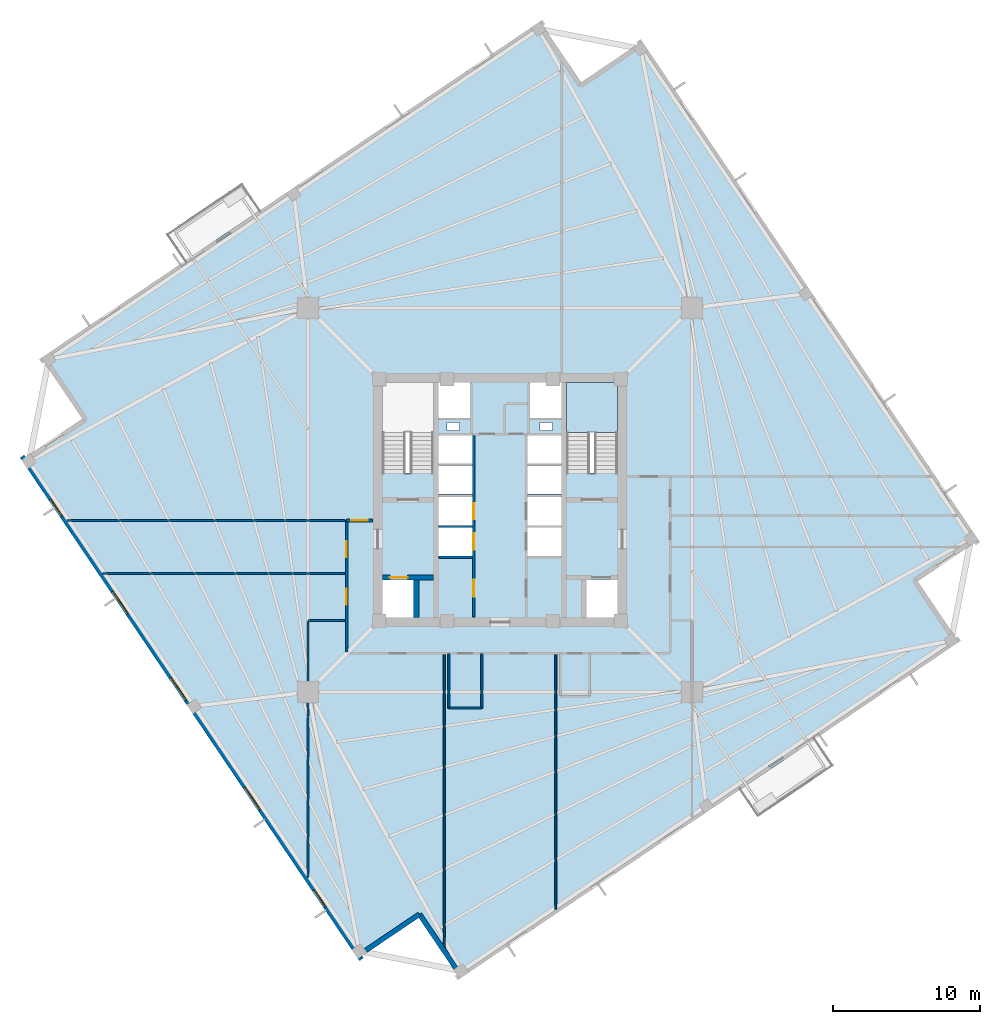
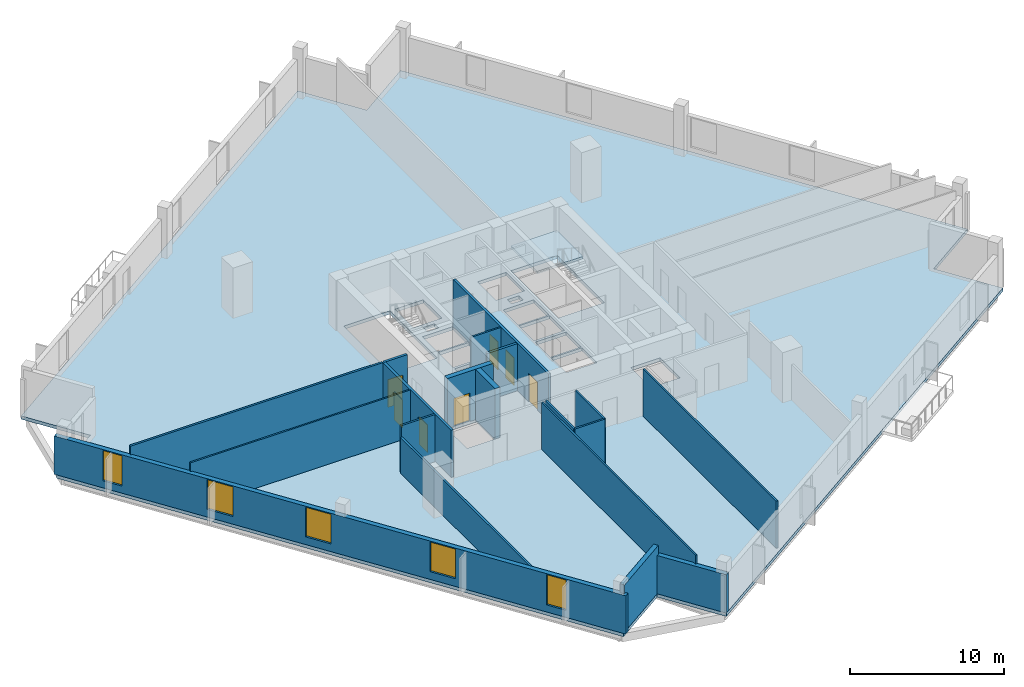
# One storey, part 2 of 8: 19 walls, 7 doors, 5 windows, 2 slabs, 12 openings, 1 element without a shape of its own.
"""IFC4 building model written with IfcOpenShell, lengths in metres."""

from ifc_helpers import new_model, si_unit, direction, frame, frame_2d, origin, place, context, subcontext, project, spatial, polyline, rectangle, outline, extrude, source, transform, mapped, material, layer, layer_set, type_object, element, fill, aggregate, save


model = new_model("IFC4")

# Units and contexts
model_context = context("Model", 3, precision=1e-05, world=origin(), true_north=direction((0.0, 1.0)))
body_context = subcontext(model_context, "Body", "Model", "MODEL_VIEW")
ifc_project = project(units=[si_unit("LENGTHUNIT", "METRE"), si_unit("AREAUNIT", "SQUARE_METRE"), si_unit("VOLUMEUNIT", "CUBIC_METRE"), si_unit("PLANEANGLEUNIT", "RADIAN"), si_unit("MASSUNIT", "GRAM", prefix="KILO"), si_unit("THERMODYNAMICTEMPERATUREUNIT", "KELVIN")], contexts=[model_context])

# Site, building, storey
site_placement = place(None, origin())
site = spatial("IfcSite", under=ifc_project, at=site_placement, CompositionType="ELEMENT")
building_placement = place(site_placement, origin())
building = spatial("IfcBuilding", under=site, at=building_placement, Name="Kosmvard Interchange Tower", CompositionType="ELEMENT")
storey_placement = place(building_placement, frame((0.0, 0.0, 172.39990234375)))
storey = spatial("IfcBuildingStorey", under=building, at=storey_placement, Name="L41", CompositionType="ELEMENT", Elevation=172.39990234375)

# Slab
ifc_material_1 = material(Name="Concrete C50/60", Category="concrete")
ifc_layer_1 = layer(ifc_material_1, 0.260009765625, Name="Concrete C50/60")
ifc_layer_set_1 = layer_set([ifc_layer_1], Name="Concrete C50/60")
slab_type_1 = type_object("IfcSlabType", Name="Mid-Rise Office Composite Slab 260 C50/60", PredefinedType="FLOOR", material=ifc_layer_set_1)
slab_1_placement = place(storey_placement, frame((0.0, 0.0, -0.260009765625)))
element("IfcSlab", 1, at=slab_1_placement, inside=storey, type_object=slab_type_1, Name="L41 Structural Floor Slab", PredefinedType="FLOOR", context=body_context, shape_type="SweptSolid", body=[
    extrude(outline(polyline([(-2.73583984375, -32.60400390625), (31.254638671875, -9.677001953125), (28.458740234375, -5.53173828125), (32.60400390625, -2.73583984375), (9.677001953125, 31.254638671875), (5.53173828125, 28.458740234375), (2.73583984375, 32.60400390625), (-31.254638671875, 9.677001953125), (-28.458740234375, 5.53173828125), (-32.60400390625, 2.73583984375), (-9.677001953125, -31.254638671875), (-5.53173828125, -28.458740234375), (-2.73583984375, -32.60400390625)]), holes=[polyline([(-8.0, 1.8349609375), (-4.5400390625, 1.8349609375), (-4.5400390625, 8.0), (-8.0, 8.0), (-8.0, 1.8349609375)]), polyline([(4.5400390625, 1.8349609375), (8.0, 1.8349609375), (8.0, 8.0), (4.5400390625, 8.0), (4.5400390625, 1.8349609375)]), polyline([(-8.0, -8.0), (-5.800048828125, -8.0), (-5.800048828125, -5.39990234375), (-8.0, -5.39990234375), (-8.0, -8.0)]), polyline([(5.800048828125, -8.0), (8.0, -8.0), (8.0, -5.39990234375), (5.800048828125, -5.39990234375), (5.800048828125, -8.0)]), polyline([(-4.179931640625, -3.800048828125), (-1.8798828125, -3.800048828125), (-1.8798828125, -1.860107421875), (-4.179931640625, -1.860107421875), (-4.179931640625, -3.800048828125)]), polyline([(-4.179931640625, -1.739990234375), (-1.8798828125, -1.739990234375), (-1.8798828125, 0.199951171875), (-4.179931640625, 0.199951171875), (-4.179931640625, -1.739990234375)]), polyline([(1.8798828125, -3.800048828125), (4.179931640625, -3.800048828125), (4.179931640625, -1.860107421875), (1.8798828125, -1.860107421875), (1.8798828125, -3.800048828125)]), polyline([(1.8798828125, -1.739990234375), (4.179931640625, -1.739990234375), (4.179931640625, 0.199951171875), (1.8798828125, 0.199951171875), (1.8798828125, -1.739990234375)]), polyline([(-4.179931640625, 0.39990234375), (-1.8798828125, 0.39990234375), (-1.8798828125, 2.340087890625), (-4.179931640625, 2.340087890625), (-4.179931640625, 0.39990234375)]), polyline([(-4.179931640625, 2.4599609375), (-1.8798828125, 2.4599609375), (-1.8798828125, 4.39990234375), (-4.179931640625, 4.39990234375), (-4.179931640625, 2.4599609375)]), polyline([(1.8798828125, 0.39990234375), (4.179931640625, 0.39990234375), (4.179931640625, 2.340087890625), (1.8798828125, 2.340087890625), (1.8798828125, 0.39990234375)]), polyline([(1.8798828125, 2.4599609375), (4.179931640625, 2.4599609375), (4.179931640625, 4.39990234375), (1.8798828125, 4.39990234375), (1.8798828125, 2.4599609375)]), polyline([(-4.179931640625, 5.60009765625), (-2.0400390625, 5.60009765625), (-2.0400390625, 8.0), (-4.179931640625, 8.0), (-4.179931640625, 5.60009765625)]), polyline([(2.0400390625, 5.60009765625), (4.179931640625, 5.60009765625), (4.179931640625, 8.0), (2.0400390625, 8.0), (2.0400390625, 5.60009765625)]), polyline([(-3.614990234375, 4.739990234375), (-2.764892578125, 4.739990234375), (-2.764892578125, 5.2900390625), (-3.614990234375, 5.2900390625), (-3.614990234375, 4.739990234375)]), polyline([(2.715087890625, 4.739990234375), (3.56494140625, 4.739990234375), (3.56494140625, 5.2900390625), (2.715087890625, 5.2900390625), (2.715087890625, 4.739990234375)])]), origin(), (0.0, 0.0, 1.0), 0.260009765625),
])

# Stair, slab
stair_type = type_object("IfcStairType", Name="Dog-Leg Core Exit Stair H4000 C50/60", PredefinedType="HALF_TURN_STAIR", material=ifc_material_1)
stair_placement = place(storey_placement, origin())
stair = element("IfcStair", 2, at=stair_placement, inside=storey, type_object=stair_type, Name="L41 Protected Exit Stair ST-2", PredefinedType="HALF_TURN_STAIR")
ifc_layer_2 = layer(ifc_material_1, 0.199951171875, Name="Concrete C50/60")
ifc_layer_set_2 = layer_set([ifc_layer_2], Name="Concrete C50/60")
slab_type_2 = type_object("IfcSlabType", Name="Stair Half-Landing Slab 200 C50/60", PredefinedType="LANDING", material=ifc_layer_set_2)
slab_2_placement = place(storey_placement, frame((0.0, 0.0, 1.800048828125)))
slab_2 = element("IfcSlab", 3, at=slab_2_placement, type_object=slab_type_2, Name="ST-2 landing 1", PredefinedType="LANDING", context=body_context, shape_type="SweptSolid", body=[
    extrude(outline(polyline([(8.0, 4.60009765625), (8.0, 8.0), (4.5400390625, 8.0), (4.5400390625, 4.60009765625), (8.0, 4.60009765625)])), origin(), (0.0, 0.0, 1.0), 0.199951171875),
])
aggregate(stair, [slab_2])

# Walls
ifc_material_2 = material(Name="Acoustic gypsum partition system")
ifc_layer_3 = layer(ifc_material_2, 0.14990234375, Name="Acoustic gypsum partition system")
ifc_layer_set_3 = layer_set([ifc_layer_3], Name="Acoustic gypsum partition system")
wall_type_1 = type_object("IfcWallType", Name="Acoustic Suite & Meeting Partition 150", PredefinedType="PARTITIONING", material=ifc_layer_set_3)
wall_1_placement = place(storey_placement, frame((-29.482421875, -1.39990234375, 0.0), z_axis=(0.0, 0.0, 1.0), x_axis=(1.0, 0.0, 0.0)))
element("IfcWall", 4, at=wall_1_placement, inside=storey, type_object=wall_type_1, Name="L41 Room Partition 02.1", PredefinedType="PARTITIONING", context=body_context, shape_type="SweptSolid", body=[
    extrude(rectangle(XDim=18.9375, YDim=0.14990234375, at=frame_2d((9.46875, 0.0))), origin(), (0.0, 0.0, 1.0), 3.739990234375),
])
wall_2_placement = place(storey_placement, frame((-10.544921875, -8.199951171875, 0.0), z_axis=(0.0, 0.0, 1.0), x_axis=(-1.0, 0.0, 0.0)))
element("IfcWall", 5, at=wall_2_placement, inside=storey, type_object=wall_type_1, Name="L41 Room Partition 05.1", PredefinedType="PARTITIONING", context=body_context, shape_type="SweptSolid", body=[
    extrude(rectangle(XDim=2.5361328125, YDim=0.14990234375, at=frame_2d((1.26806640625, 0.0))), origin(), (0.0, 0.0, 1.0), 3.739990234375),
])
wall_3_placement = place(storey_placement, frame((-13.0810546875, -8.27490234375, 0.0), z_axis=(0.0, 0.0, 1.0), x_axis=(0.0, -1.0, 0.0)))
element("IfcWall", 6, at=wall_3_placement, inside=storey, type_object=wall_type_1, Name="L41 Room Partition 06.1", PredefinedType="PARTITIONING", context=body_context, shape_type="SweptSolid", body=[
    extrude(rectangle(XDim=17.44140625, YDim=0.14990234375, at=frame_2d((8.720703125, 0.0))), origin(), (0.0, 0.0, 1.0), 2.840087890625),
])

# Wall, openings, doors
ifc_material_3 = material(Name="Fire-rated gypsum partition system")
ifc_layer_4 = layer(ifc_material_3, 0.179931640625, Name="Fire-rated gypsum partition system")
ifc_layer_set_4 = layer_set([ifc_layer_4], Name="Fire-rated gypsum partition system")
wall_type_2 = type_object("IfcWallType", Name="Corridor & Hotel Compartment Partition 180", PredefinedType="PARTITIONING", material=ifc_layer_set_4)
wall_4_placement = place(storey_placement, frame((-1.7900390625, -7.97998046875, 0.0), z_axis=(0.0, 0.0, 1.0), x_axis=(0.0, 1.0, 0.0)))
wall_4 = element("IfcWall", 7, at=wall_4_placement, inside=storey, type_object=wall_type_2, Name="L41 West Lift Bank Front Wall", PredefinedType="PARTITIONING", context=body_context, shape_type="SweptSolid", body=[
    extrude(rectangle(XDim=12.3798828125, YDim=0.179931640625, at=frame_2d((6.18994140625, 0.0))), origin(), (0.0, 0.0, 1.0), 3.739990234375),
])
opening_1_placement = place(wall_4_placement, frame((4.60009765625, 0.0, 0.0)))
opening_1 = element("IfcOpeningElement", 8, at=opening_1_placement, cuts=wall_4, Name="Opening LD-PL-M1-L41", PredefinedType="OPENING", context=body_context, shape_type="SweptSolid", body=[
    extrude(rectangle(XDim=1.10009765625, YDim=2.199951171875, at=frame_2d((0.550048828125, 1.10009765625))), frame((0.0, 0.10009765625, 0.0), z_axis=(0.0, -1.0, 0.0), x_axis=(1.0, 0.0, 0.0)), (0.0, 0.0, 1.0), 0.199951171875),
])
opening_2_placement = place(wall_4_placement, frame((6.659912109375, 0.0, 0.0)))
opening_2 = element("IfcOpeningElement", 9, at=opening_2_placement, cuts=wall_4, Name="Opening LD-PL-M2-L41", PredefinedType="OPENING", context=body_context, shape_type="SweptSolid", body=[
    extrude(rectangle(XDim=1.10009765625, YDim=2.199951171875, at=frame_2d((0.550048828125, 1.10009765625))), frame((0.0, 0.10009765625, 0.0), z_axis=(0.0, -1.0, 0.0), x_axis=(1.0, 0.0, 0.0)), (0.0, 0.0, 1.0), 0.199951171875),
])
opening_3_placement = place(wall_4_placement, frame((1.39990234375, 0.0, 0.0)))
opening_3 = element("IfcOpeningElement", 10, at=opening_3_placement, cuts=wall_4, Name="Opening L41-CD1", PredefinedType="OPENING", context=body_context, shape_type="SweptSolid", body=[
    extrude(rectangle(XDim=1.14990234375, YDim=2.25, at=frame_2d((0.574951171875, 1.125))), frame((0.0, 0.10009765625, 0.0), z_axis=(0.0, -1.0, 0.0), x_axis=(1.0, 0.0, 0.0)), (0.0, 0.0, 1.0), 0.199951171875),
])
ifc_material_4 = material(Name="Painted fire-rated steel leaf", Category="steel")
door_type_1 = type_object("IfcDoorType", Name="Plant & Riser Fire Door 1150x2250 EI60", OperationType="NOTDEFINED", PredefinedType="DOOR", material=ifc_material_4)
shared_shape_1 = source(origin(), body_context, "Body", "SweptSolid", [
    extrude(rectangle(XDim=1.14990234375, YDim=2.25, at=frame_2d((0.574951171875, 1.125))), frame((0.0, 0.02490234375, 0.0), z_axis=(0.0, -1.0, 0.0), x_axis=(1.0, 0.0, 0.0)), (0.0, 0.0, 1.0), 0.050048828125),
])
door_1_placement = place(opening_3_placement, origin())
door_1 = element("IfcDoor", 11, at=door_1_placement, inside=storey, type_object=door_type_1, Name="L41 Core Switch Door", OperationType="SINGLE_SWING_LEFT", OverallHeight=2.25, OverallWidth=1.14990234375, PredefinedType="DOOR", context=body_context, shape_type="MappedRepresentation", body=[
    mapped(shared_shape_1, transform((0.0, 0.0, 0.0), scale=1.0)),
])
fill(opening_3, door_1)
ifc_material_5 = material(Name="Brushed stainless steel sliding leaf", Category="steel")
door_type_2 = type_object("IfcDoorType", Name="Passenger Lift Sliding Landing Door 1100x2200 EI60", OperationType="DOUBLE_DOOR_SLIDING", PredefinedType="DOOR", material=ifc_material_5)
shared_shape_2 = source(origin(), body_context, "Body", "SweptSolid", [
    extrude(rectangle(XDim=1.10009765625, YDim=2.199951171875, at=frame_2d((0.550048828125, 1.10009765625))), frame((0.0, 0.02490234375, 0.0), z_axis=(0.0, -1.0, 0.0), x_axis=(1.0, 0.0, 0.0)), (0.0, 0.0, 1.0), 0.050048828125),
])
door_2_placement = place(opening_1_placement, frame((1.10009765625, 0.0, 0.0), z_axis=(0.0, 0.0, 1.0), x_axis=(-1.0, 0.0, 0.0)))
door_2 = element("IfcDoor", 12, at=door_2_placement, inside=storey, type_object=door_type_2, Name="Lift PL-M1 Landing Door L41", OperationType="DOUBLE_DOOR_SLIDING", OverallHeight=2.199951171875, OverallWidth=1.10009765625, PredefinedType="DOOR", context=body_context, shape_type="MappedRepresentation", body=[
    mapped(shared_shape_2, transform((0.0, 0.0, 0.0), scale=1.0)),
])
fill(opening_1, door_2)
door_3_placement = place(opening_2_placement, frame((1.10009765625, 0.0, 0.0), z_axis=(0.0, 0.0, 1.0), x_axis=(-1.0, 0.0, 0.0)))
door_3 = element("IfcDoor", 13, at=door_3_placement, inside=storey, type_object=door_type_2, Name="Lift PL-M2 Landing Door L41", OperationType="DOUBLE_DOOR_SLIDING", OverallHeight=2.199951171875, OverallWidth=1.10009765625, PredefinedType="DOOR", context=body_context, shape_type="MappedRepresentation", body=[
    mapped(shared_shape_2, transform((0.0, 0.0, 0.0), scale=1.0)),
])
fill(opening_2, door_3)

wall_5_placement = place(storey_placement, frame((-10.449951171875, -10.35009765625, 0.0), z_axis=(0.0, 0.0, 1.0), x_axis=(0.0, 1.0, 0.0)))
wall_5 = element("IfcWall", 14, at=wall_5_placement, inside=storey, type_object=wall_type_2, Name="L41 Corridor Wall CW", PredefinedType="PARTITIONING", context=body_context, shape_type="SweptSolid", body=[
    extrude(rectangle(XDim=8.9501953125, YDim=0.179931640625, at=frame_2d((4.47509765625, 0.0))), origin(), (0.0, 0.0, 1.0), 3.739990234375),
])
opening_4_placement = place(wall_5_placement, frame((6.435546875, 0.0, 0.0)))
opening_4 = element("IfcOpeningElement", 15, at=opening_4_placement, cuts=wall_5, Name="Opening L41-D06", PredefinedType="OPENING", context=body_context, shape_type="SweptSolid", body=[
    extrude(rectangle(XDim=1.10009765625, YDim=2.199951171875, at=frame_2d((0.550048828125, 1.10009765625))), frame((0.0, 0.10009765625, 0.0), z_axis=(0.0, -1.0, 0.0), x_axis=(1.0, 0.0, 0.0)), (0.0, 0.0, 1.0), 0.199951171875),
])
opening_5_placement = place(wall_5_placement, frame((3.199951171875, 0.0, 0.0)))
opening_5 = element("IfcOpeningElement", 16, at=opening_5_placement, cuts=wall_5, Name="Opening L41-D07", PredefinedType="OPENING", context=body_context, shape_type="SweptSolid", body=[
    extrude(rectangle(XDim=1.10009765625, YDim=2.199951171875, at=frame_2d((0.550048828125, 1.10009765625))), frame((0.0, 0.10009765625, 0.0), z_axis=(0.0, -1.0, 0.0), x_axis=(1.0, 0.0, 0.0)), (0.0, 0.0, 1.0), 0.199951171875),
])
ifc_material_6 = material(Name="Engineered oak fire-rated timber", Category="wood")
door_type_3 = type_object("IfcDoorType", Name="Office Suite Entrance Door 1100x2200 FD30S", OperationType="NOTDEFINED", PredefinedType="DOOR", material=ifc_material_6)
door_4_placement = place(opening_4_placement, origin())
door_4 = element("IfcDoor", 17, at=door_4_placement, inside=storey, type_object=door_type_3, Name="L41 Secure Data Tape Store Door", OperationType="SINGLE_SWING_RIGHT", OverallHeight=2.199951171875, OverallWidth=1.10009765625, PredefinedType="DOOR", context=body_context, shape_type="MappedRepresentation", body=[
    mapped(shared_shape_2, transform((0.0, 0.0, 0.0), scale=1.0)),
])
fill(opening_4, door_4)
door_5_placement = place(opening_5_placement, origin())
door_5 = element("IfcDoor", 18, at=door_5_placement, inside=storey, type_object=door_type_3, Name="L41 Print Supply Store Door", OperationType="SINGLE_SWING_LEFT", OverallHeight=2.199951171875, OverallWidth=1.10009765625, PredefinedType="DOOR", context=body_context, shape_type="MappedRepresentation", body=[
    mapped(shared_shape_2, transform((0.0, 0.0, 0.0), scale=1.0)),
])
fill(opening_5, door_5)

# Wall, opening, door
wall_6_placement = place(storey_placement, frame((-10.449951171875, -1.39990234375, 0.0), z_axis=(0.0, 0.0, 1.0), x_axis=(1.0, 0.0, 0.0)))
wall_6 = element("IfcWall", 19, at=wall_6_placement, inside=storey, type_object=wall_type_2, Name="L41 Corridor Wall CNW", PredefinedType="PARTITIONING", context=body_context, shape_type="SweptSolid", body=[
    extrude(rectangle(XDim=1.75, YDim=0.179931640625, at=frame_2d((0.875, 0.0))), origin(), (0.0, 0.0, 1.0), 3.739990234375),
])
opening_6_placement = place(wall_6_placement, frame((0.324951171875, 0.0, 0.0)))
opening_6 = element("IfcOpeningElement", 20, at=opening_6_placement, cuts=wall_6, Name="Opening L41-D03", PredefinedType="OPENING", context=body_context, shape_type="SweptSolid", body=[
    extrude(rectangle(XDim=1.10009765625, YDim=2.199951171875, at=frame_2d((0.550048828125, 1.10009765625))), frame((0.0, 0.10009765625, 0.0), z_axis=(0.0, -1.0, 0.0), x_axis=(1.0, 0.0, 0.0)), (0.0, 0.0, 1.0), 0.199951171875),
])
door_6_placement = place(opening_6_placement, origin())
door_6 = element("IfcDoor", 21, at=door_6_placement, inside=storey, type_object=door_type_3, Name="L41 Trade Exchange Lecture Hall Door", OperationType="SINGLE_SWING_LEFT", OverallHeight=2.199951171875, OverallWidth=1.10009765625, PredefinedType="DOOR", context=body_context, shape_type="MappedRepresentation", body=[
    mapped(shared_shape_2, transform((0.0, 0.0, 0.0), scale=1.0)),
])
fill(opening_6, door_6)

# Wall, openings, windows
ifc_material_7 = material(Name="Precast concrete C45/55", Category="concrete")
ifc_layer_5 = layer(ifc_material_7, 0.340087890625, Name="Precast concrete C45/55")
ifc_layer_set_5 = layer_set([ifc_layer_5], Name="Precast concrete C45/55")
wall_type_3 = type_object("IfcWallType", Name="Mid Tower Precast Pier Wall 340 C45/55", PredefinedType="STANDARD", material=ifc_layer_set_5)
wall_7_placement = place(storey_placement, frame((-32.55810546875, 2.971923828125, 0.0), z_axis=(0.0, 0.0, 1.0), x_axis=(0.559194910251, -0.829036218961, 0.0)))
wall_7 = element("IfcWall", 22, at=wall_7_placement, inside=storey, type_object=wall_type_3, Name="L41 Precast Facade Wall F-W", PredefinedType="STANDARD", context=body_context, shape_type="SweptSolid", body=[
    extrude(rectangle(XDim=41.340087890625, YDim=0.340087890625, at=frame_2d((20.669921875, 0.0))), origin(), (0.0, 0.0, 1.0), 3.0400390625),
])
opening_7_placement = place(wall_7_placement, frame((3.5107421875, 0.0, 0.56005859375)))
opening_7 = element("IfcOpeningElement", 23, at=opening_7_placement, cuts=wall_7, Name="Opening L41-W16", PredefinedType="OPENING", context=body_context, shape_type="SweptSolid", body=[
    extrude(rectangle(XDim=1.39990234375, YDim=2.39990234375, at=frame_2d((0.699951171875, 1.199951171875))), frame((0.0, 0.18017578125, 0.0), z_axis=(0.0, -1.0, 0.0), x_axis=(1.0, 0.0, 0.0)), (0.0, 0.0, 1.0), 0.360107421875),
])
opening_8_placement = place(wall_7_placement, frame((11.063720703125, 0.0, 0.610107421875)))
opening_8 = element("IfcOpeningElement", 24, at=opening_8_placement, cuts=wall_7, Name="Opening L41-W17", PredefinedType="OPENING", context=body_context, shape_type="SweptSolid", body=[
    extrude(rectangle(XDim=1.85009765625, YDim=2.35009765625, at=frame_2d((0.925048828125, 1.175048828125))), frame((0.0, 0.18017578125, 0.0), z_axis=(0.0, -1.0, 0.0), x_axis=(1.0, 0.0, 0.0)), (0.0, 0.0, 1.0), 0.360107421875),
])
opening_9_placement = place(wall_7_placement, frame((18.168212890625, 0.0, 0.610107421875)))
opening_9 = element("IfcOpeningElement", 25, at=opening_9_placement, cuts=wall_7, Name="Opening L41-W18", PredefinedType="OPENING", context=body_context, shape_type="SweptSolid", body=[
    extrude(rectangle(XDim=1.85009765625, YDim=2.35009765625, at=frame_2d((0.925048828125, 1.175048828125))), frame((0.0, 0.18017578125, 0.0), z_axis=(0.0, -1.0, 0.0), x_axis=(1.0, 0.0, 0.0)), (0.0, 0.0, 1.0), 0.360107421875),
])
opening_10_placement = place(wall_7_placement, frame((27.186279296875, 0.0, 0.610107421875)))
opening_10 = element("IfcOpeningElement", 26, at=opening_10_placement, cuts=wall_7, Name="Opening L41-W19", PredefinedType="OPENING", context=body_context, shape_type="SweptSolid", body=[
    extrude(rectangle(XDim=1.85009765625, YDim=2.35009765625, at=frame_2d((0.925048828125, 1.175048828125))), frame((0.0, 0.18017578125, 0.0), z_axis=(0.0, -1.0, 0.0), x_axis=(1.0, 0.0, 0.0)), (0.0, 0.0, 1.0), 0.360107421875),
])
opening_11_placement = place(wall_7_placement, frame((35.602294921875, 0.0, 0.56005859375)))
opening_11 = element("IfcOpeningElement", 27, at=opening_11_placement, cuts=wall_7, Name="Opening L41-W20", PredefinedType="OPENING", context=body_context, shape_type="SweptSolid", body=[
    extrude(rectangle(XDim=1.39990234375, YDim=2.39990234375, at=frame_2d((0.699951171875, 1.199951171875))), frame((0.0, 0.18017578125, 0.0), z_axis=(0.0, -1.0, 0.0), x_axis=(1.0, 0.0, 0.0)), (0.0, 0.0, 1.0), 0.360107421875),
])
ifc_material_8 = material(Name="Low-E solar-control double glazing", Category="glass")
window_type_1 = type_object("IfcWindowType", Name="Notched Corner Feature Window 1400x2400", PartitioningType="SINGLE_PANEL", PredefinedType="WINDOW", material=ifc_material_8)
shared_shape_3 = source(origin(), body_context, "Body", "SweptSolid", [
    extrude(rectangle(XDim=1.39990234375, YDim=2.39990234375, at=frame_2d((0.699951171875, 1.199951171875))), frame((0.0, 0.030029296875, 0.0), z_axis=(0.0, -1.0, 0.0), x_axis=(1.0, 0.0, 0.0)), (0.0, 0.0, 1.0), 0.06005859375),
])
window_1_placement = place(opening_7_placement, origin())
window_1 = element("IfcWindow", 28, at=window_1_placement, inside=storey, type_object=window_type_1, Name="L41 Facade Punched Window 16", OverallHeight=2.39990234375, OverallWidth=1.39990234375, PartitioningType="SINGLE_PANEL", PredefinedType="WINDOW", context=body_context, shape_type="MappedRepresentation", body=[
    mapped(shared_shape_3, transform((0.0, 0.0, 0.0), scale=1.0)),
])
fill(opening_7, window_1)
window_2_placement = place(opening_11_placement, origin())
window_2 = element("IfcWindow", 29, at=window_2_placement, inside=storey, type_object=window_type_1, Name="L41 Facade Punched Window 20", OverallHeight=2.39990234375, OverallWidth=1.39990234375, PartitioningType="SINGLE_PANEL", PredefinedType="WINDOW", context=body_context, shape_type="MappedRepresentation", body=[
    mapped(shared_shape_3, transform((0.0, 0.0, 0.0), scale=1.0)),
])
fill(opening_11, window_2)
window_type_2 = type_object("IfcWindowType", Name="Zone 3 Office Punched Window 1850x2350", PartitioningType="SINGLE_PANEL", PredefinedType="WINDOW", material=ifc_material_8)
shared_shape_4 = source(origin(), body_context, "Body", "SweptSolid", [
    extrude(rectangle(XDim=1.85009765625, YDim=2.35009765625, at=frame_2d((0.925048828125, 1.175048828125))), frame((0.0, 0.030029296875, 0.0), z_axis=(0.0, -1.0, 0.0), x_axis=(1.0, 0.0, 0.0)), (0.0, 0.0, 1.0), 0.06005859375),
])
window_3_placement = place(opening_8_placement, origin())
window_3 = element("IfcWindow", 30, at=window_3_placement, inside=storey, type_object=window_type_2, Name="L41 Facade Punched Window 17", OverallHeight=2.35009765625, OverallWidth=1.85009765625, PartitioningType="SINGLE_PANEL", PredefinedType="WINDOW", context=body_context, shape_type="MappedRepresentation", body=[
    mapped(shared_shape_4, transform((0.0, 0.0, 0.0), scale=1.0)),
])
fill(opening_8, window_3)
window_4_placement = place(opening_9_placement, origin())
window_4 = element("IfcWindow", 31, at=window_4_placement, inside=storey, type_object=window_type_2, Name="L41 Facade Punched Window 18", OverallHeight=2.35009765625, OverallWidth=1.85009765625, PartitioningType="SINGLE_PANEL", PredefinedType="WINDOW", context=body_context, shape_type="MappedRepresentation", body=[
    mapped(shared_shape_4, transform((0.0, 0.0, 0.0), scale=1.0)),
])
fill(opening_9, window_4)
window_5_placement = place(opening_10_placement, origin())
window_5 = element("IfcWindow", 32, at=window_5_placement, inside=storey, type_object=window_type_2, Name="L41 Facade Punched Window 19", OverallHeight=2.35009765625, OverallWidth=1.85009765625, PartitioningType="SINGLE_PANEL", PredefinedType="WINDOW", context=body_context, shape_type="MappedRepresentation", body=[
    mapped(shared_shape_4, transform((0.0, 0.0, 0.0), scale=1.0)),
])
fill(opening_10, window_5)

# Walls
wall_8_placement = place(storey_placement, frame((-9.631103515625, -31.018798828125, 0.0), z_axis=(0.0, 0.0, 1.0), x_axis=(0.829025804298, 0.559210350234, 0.0)))
element("IfcWall", 33, at=wall_8_placement, inside=storey, type_object=wall_type_3, Name="L41 Precast Facade Wall N-SW1", PredefinedType="STANDARD", context=body_context, shape_type="SweptSolid", body=[
    extrude(rectangle(XDim=5.000244140625, YDim=0.340087890625, at=frame_2d((2.5, 0.0))), origin(), (0.0, 0.0, 1.0), 3.739990234375),
])
wall_9_placement = place(storey_placement, frame((-5.48583984375, -28.22265625, 0.0), z_axis=(0.0, 0.0, 1.0), x_axis=(0.559171107879, -0.82905227345, 0.0)))
element("IfcWall", 34, at=wall_9_placement, inside=storey, type_object=wall_type_3, Name="L41 Precast Facade Wall N-SW2", PredefinedType="STANDARD", context=body_context, shape_type="SweptSolid", body=[
    extrude(rectangle(XDim=5.169921875, YDim=0.340087890625, at=frame_2d((2.5849609375, 0.0))), origin(), (0.0, 0.0, 1.0), 3.0400390625),
])
ifc_material_9 = material(Name="Gypsum board partition system")
ifc_layer_6 = layer(ifc_material_9, 0.1201171875, Name="Gypsum board partition system")
ifc_layer_set_6 = layer_set([ifc_layer_6], Name="Gypsum board partition system")
wall_type_4 = type_object("IfcWallType", Name="Office Cellular Partition 120", PredefinedType="PARTITIONING", material=ifc_layer_set_6)
wall_10_placement = place(storey_placement, frame((-27.05419921875, -5.0, 0.0), z_axis=(0.0, 0.0, 1.0), x_axis=(1.0, 0.0, 0.0)))
element("IfcWall", 35, at=wall_10_placement, inside=storey, type_object=wall_type_4, Name="L41 Room Partition 07.1", PredefinedType="PARTITIONING", context=body_context, shape_type="SweptSolid", body=[
    extrude(rectangle(XDim=16.50927734375, YDim=0.1201171875, at=frame_2d((8.254638671875, 0.0))), origin(), (0.0, 0.0, 1.0), 3.739990234375),
])
wall_11_placement = place(storey_placement, frame((-3.800048828125, -30.534423828125, 0.0), z_axis=(0.0, 0.0, 1.0), x_axis=(0.0, 1.0, 0.0)))
element("IfcWall", 36, at=wall_11_placement, inside=storey, type_object=wall_type_4, Name="L41 Room Partition 08.1", PredefinedType="PARTITIONING", context=body_context, shape_type="SweptSolid", body=[
    extrude(rectangle(XDim=19.989501953125, YDim=0.1201171875, at=frame_2d((9.99462890625, 0.0))), origin(), (0.0, 0.0, 1.0), 3.739990234375),
])
wall_12_placement = place(storey_placement, frame((3.800048828125, -27.86376953125, 0.0), z_axis=(0.0, 0.0, 1.0), x_axis=(0.0, 1.0, 0.0)))
element("IfcWall", 37, at=wall_12_placement, inside=storey, type_object=wall_type_4, Name="L41 Room Partition 09.1", PredefinedType="PARTITIONING", context=body_context, shape_type="SweptSolid", body=[
    extrude(rectangle(XDim=17.31884765625, YDim=0.1201171875, at=frame_2d((8.659423828125, 0.0))), origin(), (0.0, 0.0, 1.0), 3.739990234375),
])
ifc_material_10 = material(Name="Concrete blockwork masonry", Category="masonry")
ifc_layer_7 = layer(ifc_material_10, 0.179931640625, Name="Concrete blockwork masonry")
ifc_layer_set_7 = layer_set([ifc_layer_7], Name="Concrete blockwork masonry")
wall_type_5 = type_object("IfcWallType", Name="Riser & Lift Bank Divider Wall 180", PredefinedType="PARTITIONING", material=ifc_layer_set_7)
wall_13_placement = place(storey_placement, frame((-4.169921875, -3.89990234375, 0.0), z_axis=(0.0, 0.0, 1.0), x_axis=(1.0, 0.0, 0.0)))
element("IfcWall", 38, at=wall_13_placement, inside=storey, type_object=wall_type_5, Name="L41 West Bank Divider BD1", PredefinedType="PARTITIONING", context=body_context, shape_type="SweptSolid", body=[
    extrude(rectangle(XDim=2.280029296875, YDim=0.179931640625, at=frame_2d((1.14013671875, 0.0))), origin(), (0.0, 0.0, 1.0), 3.739990234375),
])
ifc_material_11 = material(Name="Fire-rated gypsum shaftwall system")
ifc_layer_8 = layer(ifc_material_11, 0.1201171875, Name="Fire-rated gypsum shaftwall system")
ifc_layer_set_8 = layer_set([ifc_layer_8], Name="Fire-rated gypsum shaftwall system")
wall_type_6 = type_object("IfcWallType", Name="Shaft & Riser Fire Partition 120 EI60", PredefinedType="PARTITIONING", material=ifc_layer_set_8)
wall_14_placement = place(storey_placement, frame((-4.159912109375, -1.800048828125, 0.0), z_axis=(0.0, 0.0, 1.0), x_axis=(1.0, 0.0, 0.0)))
element("IfcWall", 39, at=wall_14_placement, inside=storey, type_object=wall_type_6, Name="L41 Shaft Divider PL-M1", PredefinedType="PARTITIONING", context=body_context, shape_type="SweptSolid", body=[
    extrude(rectangle(XDim=2.260009765625, YDim=0.1201171875, at=frame_2d((1.1298828125, 0.0))), origin(), (0.0, 0.0, 1.0), 3.739990234375),
])

# Wall, opening, door
ifc_material_12 = material(Name="Concrete C60/75", Category="concrete")
ifc_layer_9 = layer(ifc_material_12, 0.360107421875, Name="Concrete C60/75")
ifc_layer_set_9 = layer_set([ifc_layer_9], Name="Concrete C60/75")
wall_type_7 = type_object("IfcWallType", Name="Stair & Lift Shaft Shear Wall 360 C60/75", PredefinedType="SHEAR", material=ifc_layer_set_9)
wall_15_placement = place(storey_placement, frame((-8.0, -5.280029296875, 0.0), z_axis=(0.0, 0.0, 1.0), x_axis=(1.0, 0.0, 0.0)))
wall_15 = element("IfcWall", 40, at=wall_15_placement, inside=storey, type_object=wall_type_7, Name="L41 Shaft Shear Wall SW-FF1", PredefinedType="SHEAR", context=body_context, shape_type="SweptSolid", body=[
    extrude(rectangle(XDim=3.4599609375, YDim=0.360107421875, at=frame_2d((1.72998046875, 0.0))), origin(), (0.0, 0.0, 1.0), 4.0),
])
opening_12_placement = place(wall_15_placement, frame((0.5, 0.0, 0.0)))
opening_12 = element("IfcOpeningElement", 41, at=opening_12_placement, cuts=wall_15, Name="Opening LD-FF-1-L41", PredefinedType="OPENING", context=body_context, shape_type="SweptSolid", body=[
    extrude(rectangle(XDim=1.199951171875, YDim=2.25, at=frame_2d((0.60009765625, 1.125))), frame((0.0, 0.18994140625, 0.0), z_axis=(0.0, -1.0, 0.0), x_axis=(1.0, 0.0, 0.0)), (0.0, 0.0, 1.0), 0.380126953125),
])
door_type_4 = type_object("IfcDoorType", Name="Firefighting Lift Sliding Landing Door 1200x2250 EI120", OperationType="DOUBLE_DOOR_SLIDING", PredefinedType="DOOR", material=ifc_material_5)
shared_shape_5 = source(origin(), body_context, "Body", "SweptSolid", [
    extrude(rectangle(XDim=1.199951171875, YDim=2.25, at=frame_2d((0.60009765625, 1.125))), frame((0.0, 0.02490234375, 0.0), z_axis=(0.0, -1.0, 0.0), x_axis=(1.0, 0.0, 0.0)), (0.0, 0.0, 1.0), 0.050048828125),
])
door_7_placement = place(opening_12_placement, origin())
door_7 = element("IfcDoor", 42, at=door_7_placement, inside=storey, type_object=door_type_4, Name="Lift FF-1 Landing Door L41", OperationType="DOUBLE_DOOR_SLIDING", OverallHeight=2.25, OverallWidth=1.199951171875, PredefinedType="DOOR", context=body_context, shape_type="MappedRepresentation", body=[
    mapped(shared_shape_5, transform((0.0, 0.0, 0.0), scale=1.0)),
])
fill(opening_12, door_7)

# Walls
wall_16_placement = place(storey_placement, frame((-5.7099609375, -8.0, 0.0), z_axis=(0.0, 0.0, 1.0), x_axis=(0.0, 1.0, 0.0)))
element("IfcWall", 43, at=wall_16_placement, inside=storey, type_object=wall_type_7, Name="L41 Shaft Shear Wall SW-SM1", PredefinedType="SHEAR", context=body_context, shape_type="SweptSolid", body=[
    extrude(rectangle(XDim=2.5400390625, YDim=0.360107421875, at=frame_2d((1.27001953125, 0.0))), origin(), (0.0, 0.0, 1.0), 4.0),
])
ifc_material_13 = material(Name="Moisture-resistant gypsum partition")
ifc_layer_10 = layer(ifc_material_13, 0.135009765625, Name="Moisture-resistant gypsum partition")
ifc_layer_set_10 = layer_set([ifc_layer_10], Name="Moisture-resistant gypsum partition")
wall_type_8 = type_object("IfcWallType", Name="Wet Room Moisture-Resistant Partition 135", PredefinedType="PARTITIONING", material=ifc_layer_set_10)
wall_17_placement = place(storey_placement, frame((-3.489013671875, -14.169921875, 0.0), z_axis=(0.0, 0.0, 1.0), x_axis=(1.0, 0.0, 0.0)))
element("IfcWall", 44, at=wall_17_placement, inside=storey, type_object=wall_type_8, Name="L41 Washroom Partition WC1-S", PredefinedType="PARTITIONING", context=body_context, shape_type="SweptSolid", body=[
    extrude(rectangle(XDim=2.25, YDim=0.135009765625, at=frame_2d((1.125, 0.0))), origin(), (0.0, 0.0, 1.0), 3.739990234375),
])
for number, where, z_axis, x_axis, name in (
    (45, (-1.239013671875, -14.169921875, 0.0), (0.0, 0.0, 1.0), (0.0, 1.0, 0.0), "L41 Washroom Partition WC1-E"),
    (46, (-3.489013671875, -14.169921875, 0.0), (0.0, 0.0, 1.0), (0.0, 1.0, 0.0), "L41 Washroom Partition WC1-W"),
):
    element("IfcWall", number, at=place(storey_placement, frame(where, z_axis=z_axis, x_axis=x_axis)), inside=storey, type_object=wall_type_8, Name=name, PredefinedType="PARTITIONING", context=body_context, shape_type="SweptSolid", body=[
        extrude(rectangle(XDim=3.699951171875, YDim=0.135009765625, at=frame_2d((1.85009765625, 0.0))), origin(), (0.0, 0.0, 1.0), 3.739990234375),
    ])

save(model, "model.ifc")
